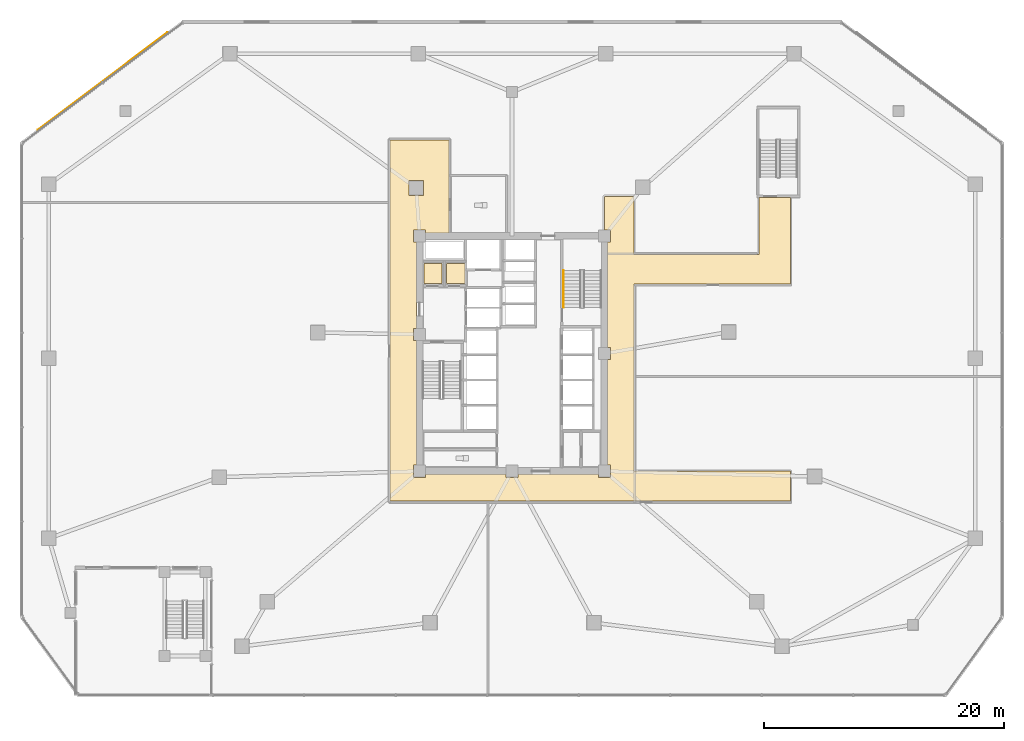
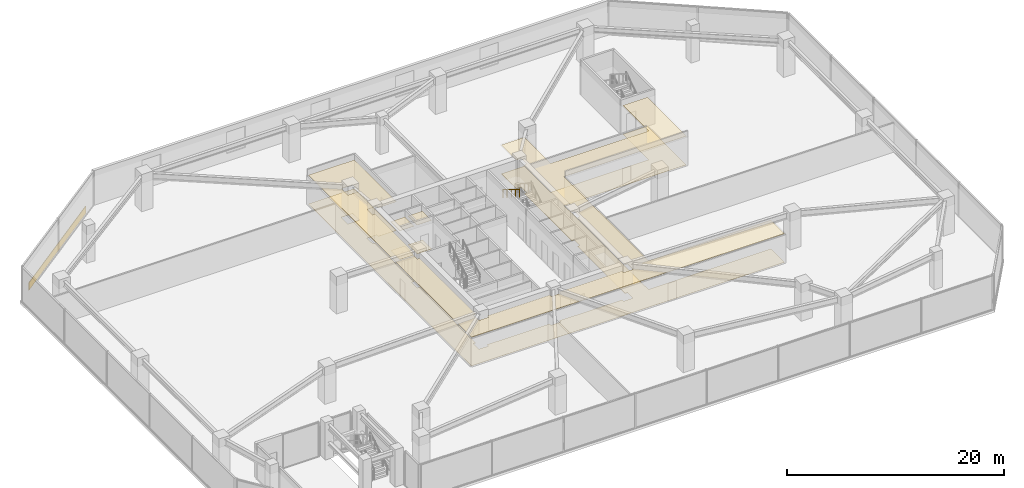
# One storey, part 17 of 21: 7 coverings, 1 railing.
"""IFC4 building model written with IfcOpenShell, lengths in metres."""

import ifcopenshell
import ifcopenshell.guid

model = None  # the IFC model being written
_history = None  # IfcOwnerHistory: only IFC2X3 demands one
_inside = {}  # id of a spatial element -> (the spatial element, [elements in it])
_under = {}  # id of a project, library or spatial element -> (it, [spatial elements below it])
_declared = {}  # id of a project -> (the project, [libraries it declares])
_typed = {}  # id of a type object -> (the type object, [elements of that type])
_made_of = {}  # id of a material, layer set ... -> (it, [elements and type objects made of it])


def new_model(schema):
    """Start an empty IFC model of exactly this schema.

    Asked for "IFC4X3", IfcOpenShell would pick the latest addendum, in which some entities
    have other attributes; the version numbers below select the first issue.
    IFC2X3 requires an IfcOwnerHistory on every rooted entity: one is made here for all.
    """
    global model, _history
    if schema == "IFC4X3":
        model = ifcopenshell.file(schema_version=(4, 3, 0, 0))
    else:
        model = ifcopenshell.file(schema=schema)
    _inside.clear()
    _under.clear()
    _declared.clear()
    _typed.clear()
    _made_of.clear()
    _history = None
    if model.schema == "IFC2X3":
        org = make("IfcOrganization", Name="unknown")
        user = make(
            "IfcPersonAndOrganization",
            ThePerson=make("IfcPerson", FamilyName="unknown"),
            TheOrganization=org,
        )
        app = make(
            "IfcApplication",
            ApplicationDeveloper=org,
            Version="unknown",
            ApplicationFullName="unknown",
            ApplicationIdentifier="unknown",
        )
        _history = make(
            "IfcOwnerHistory",
            OwningUser=user,
            OwningApplication=app,
            ChangeAction="ADDED",
            CreationDate=0,
        )
    return model


def make(cls, **values):
    """One entity of the class cls with the attributes given. An attribute that is None is left unset."""
    return model.create_entity(
        cls, **{name: value for name, value in values.items() if value is not None}
    )


def rooted(cls, **values):
    """An entity with a GlobalId (a new one), such as an element, a storey or a relation."""
    return make(cls, GlobalId=ifcopenshell.guid.new(), OwnerHistory=_history, **values)


def si_unit(unit_type, name, prefix=None):
    """IfcSIUnit, for example si_unit("LENGTHUNIT", "METRE", prefix="MILLI")."""
    return make("IfcSIUnit", UnitType=unit_type, Prefix=prefix, Name=name)


def assignment(units):
    """IfcUnitAssignment: the units of a project."""
    return None if units is None else make("IfcUnitAssignment", Units=units)


def point(xyz):
    """IfcCartesianPoint."""
    return None if xyz is None else make("IfcCartesianPoint", Coordinates=xyz)


def direction(xyz):
    """IfcDirection."""
    return None if xyz is None else make("IfcDirection", DirectionRatios=xyz)


def frame(location, z_axis=None, x_axis=None):
    """IfcAxis2Placement3D, a coordinate frame: its origin and axes. An axis left out is left unset."""
    return make(
        "IfcAxis2Placement3D",
        Location=point(location),
        Axis=direction(z_axis),
        RefDirection=direction(x_axis),
    )


def frame_2d(location, x_axis=None):
    """IfcAxis2Placement2D, a coordinate frame in the plane: its origin and x axis."""
    return make(
        "IfcAxis2Placement2D", Location=point(location), RefDirection=direction(x_axis)
    )


def origin():
    """The frame at (0, 0, 0) with its axes left unset."""
    return frame((0.0, 0.0, 0.0))


def origin_2d():
    """The frame at (0, 0) in the plane with its x axis left unset."""
    return frame_2d((0.0, 0.0))


def place(relative_to, where):
    """IfcLocalPlacement: puts the frame where relative to a parent placement (None: the world)."""
    return make(
        "IfcLocalPlacement", PlacementRelTo=relative_to, RelativePlacement=where
    )


def context(
    kind, dimensions, precision=None, world=None, true_north=None, identifier=None
):
    """IfcGeometricRepresentationContext, for example the 3D "Model" context."""
    return make(
        "IfcGeometricRepresentationContext",
        ContextIdentifier=identifier,
        ContextType=kind,
        CoordinateSpaceDimension=dimensions,
        Precision=precision,
        WorldCoordinateSystem=world,
        TrueNorth=true_north,
    )


def subcontext(parent, identifier, kind, view, scale=None):
    """IfcGeometricRepresentationSubContext, for example "Body" below "Model"."""
    return make(
        "IfcGeometricRepresentationSubContext",
        ContextIdentifier=identifier,
        ContextType=kind,
        ParentContext=parent,
        TargetScale=scale,
        TargetView=view,
    )


def project(units=None, contexts=None):
    """IfcProject with its units and contexts."""
    return rooted(
        "IfcProject",
        Name="project",
        RepresentationContexts=contexts,
        UnitsInContext=assignment(units),
    )


def spatial(cls, under=None, at=None, **own):
    """A site, building, storey or space (cls), placed at a placement, below another one or the project."""
    s = rooted(cls, ObjectPlacement=at, **own)
    if under is not None:
        _under.setdefault(under.id(), (under, []))[1].append(s)
    return s


def polyline(points):
    """IfcPolyline through the points."""
    return make("IfcPolyline", Points=[point(p) for p in points])


def profile(cls, at=None, kind="AREA", **sizes):
    """A parametric profile (cls). Its sizes go by their IFC names, for example OverallWidth=200.0."""
    return make(cls, ProfileType=kind, Position=at, **sizes)


def rectangle(**sizes):
    """IfcRectangleProfileDef."""
    return profile("IfcRectangleProfileDef", **sizes)


def circle(**sizes):
    """IfcCircleProfileDef."""
    return profile("IfcCircleProfileDef", **sizes)


def outline(outer, holes=None, kind="AREA"):
    """IfcArbitraryClosedProfileDef: a profile drawn as a closed curve; with holes, ...WithVoids."""
    if holes is None:
        return make("IfcArbitraryClosedProfileDef", ProfileType=kind, OuterCurve=outer)
    return make(
        "IfcArbitraryProfileDefWithVoids",
        ProfileType=kind,
        OuterCurve=outer,
        InnerCurves=holes,
    )


def extrude(swept, where, along, depth):
    """IfcExtrudedAreaSolid: the profile swept, set in the frame where, extruded along a direction by depth."""
    return make(
        "IfcExtrudedAreaSolid",
        SweptArea=swept,
        Position=where,
        ExtrudedDirection=direction(along),
        Depth=depth,
    )


def shape(context_of_items, identifier, shape_type, items):
    """IfcShapeRepresentation: the items that make up one representation, for example the "Body"."""
    return make(
        "IfcShapeRepresentation",
        ContextOfItems=context_of_items,
        RepresentationIdentifier=identifier,
        RepresentationType=shape_type,
        Items=items,
    )


def material(Name=None, Category=None):
    """IfcMaterial."""
    return make("IfcMaterial", Name=Name, Category=Category)


def layer(
    of_material, thickness, ventilated=None, Name=None, Category=None, Priority=None
):
    """IfcMaterialLayer: one layer of a wall or slab, of a material (None: an air gap)."""
    return make(
        "IfcMaterialLayer",
        Material=of_material,
        LayerThickness=thickness,
        IsVentilated=ventilated,
        Name=Name,
        Category=Category,
        Priority=Priority,
    )


def layer_set(layers, Name=None):
    """IfcMaterialLayerSet."""
    return make("IfcMaterialLayerSet", MaterialLayers=layers, LayerSetName=Name)


def made_of(thing, what):
    """Note that an element or type object is made of a material, layer set ...; save() writes the relation."""
    if what is not None:
        _made_of.setdefault(what.id(), (what, []))[1].append(thing)
    return thing


def type_object(cls, material=None, **own):
    """A type object (cls), such as IfcWallType, which elements share."""
    return made_of(rooted(cls, **own), material)


def element(
    cls,
    number,
    at=None,
    inside=None,
    cuts=None,
    type_object=None,
    material=None,
    context=None,
    identifier="Body",
    shape_type=None,
    held_by="IfcProductDefinitionShape",
    body=None,
    shapes=None,
    **own,
):
    """One element of the class cls, such as IfcWall. Its Tag is "e" and its number.

    at: its placement. inside: the storey or other place that contains it. cuts: it is an
    opening in that element (IfcRelVoidsElement). A single representation is given by context,
    identifier, shape_type and body (its items); several are given by shapes. held_by: the class
    of the entity that holds the representations. save() writes the other relations.
    """
    e = rooted(cls, Tag="e%d" % number, ObjectPlacement=at, **own)
    if body is not None:
        shapes = [shape(context, identifier, shape_type, body)]
    if shapes is not None:
        e.Representation = make(held_by, Representations=shapes)
    if inside is not None:
        _inside.setdefault(inside.id(), (inside, []))[1].append(e)
    if cuts is not None:
        rooted(
            "IfcRelVoidsElement", RelatingBuildingElement=cuts, RelatedOpeningElement=e
        )
    if type_object is not None:
        _typed.setdefault(type_object.id(), (type_object, []))[1].append(e)
    return made_of(e, material)


def aggregate(whole, parts):
    """IfcRelAggregates: a whole, such as a stair, and the parts it consists of."""
    return rooted("IfcRelAggregates", RelatingObject=whole, RelatedObjects=parts)


def save(model, path):
    """Write the relations noted so far, then the file.

    IfcRelAggregates (storeys below a building ...), IfcRelContainedInSpatialStructure (elements
    in a storey), IfcRelDefinesByType, IfcRelAssociatesMaterial and IfcRelDeclares: one each for
    every whole, place, type object, material and project.
    """
    for whole, parts in _under.values():
        aggregate(whole, parts)
    for where, things in _inside.values():
        rooted(
            "IfcRelContainedInSpatialStructure",
            RelatedElements=things,
            RelatingStructure=where,
        )
    for kind, things in _typed.values():
        rooted("IfcRelDefinesByType", RelatedObjects=things, RelatingType=kind)
    for what, things in _made_of.values():
        rooted("IfcRelAssociatesMaterial", RelatedObjects=things, RelatingMaterial=what)
    for by, libraries in _declared.values():
        rooted("IfcRelDeclares", RelatingContext=by, RelatedDefinitions=libraries)
    model.write(path)


model = new_model("IFC4")

# Units and contexts
model_context = context("Model", 3, precision=1e-05, world=origin(), true_north=direction((0.0, 1.0)))
body_context = subcontext(model_context, "Body", "Model", "MODEL_VIEW")
ifc_project = project(units=[si_unit("LENGTHUNIT", "METRE"), si_unit("AREAUNIT", "SQUARE_METRE"), si_unit("VOLUMEUNIT", "CUBIC_METRE"), si_unit("PLANEANGLEUNIT", "RADIAN"), si_unit("MASSUNIT", "GRAM", prefix="KILO")], contexts=[model_context])

# Site, building, storey
site_placement = place(None, origin())
site = spatial("IfcSite", under=ifc_project, at=site_placement, CompositionType="ELEMENT")
building_placement = place(site_placement, origin())
building = spatial("IfcBuilding", under=site, at=building_placement, Name="Savorim Split Tower", CompositionType="ELEMENT")
storey_placement = place(building_placement, frame((0.0, 0.0, 9.199951171875)))
storey = spatial("IfcBuildingStorey", under=building, at=storey_placement, Name="L02", CompositionType="ELEMENT", Elevation=9.199951171875)

# Coverings
ifc_material_1 = material(Name="Mineral Fibre Acoustic Ceiling")
ifc_layer_1 = layer(ifc_material_1, 0.02490234375)
ifc_layer_set_1 = layer_set([ifc_layer_1], Name="COV-CEIL-25")
covering_type_1 = type_object("IfcCoveringType", Name="COV-CEIL-25", PredefinedType="CEILING", material=ifc_layer_set_1)
covering_1_placement = place(storey_placement, frame((0.0, 0.0, 3.239990234375)))
element("IfcCovering", 1, at=covering_1_placement, inside=storey, type_object=covering_type_1, Name="L02 Electrical Riser Acoustic Ceiling", PredefinedType="CEILING", context=body_context, shape_type="SweptSolid", body=[
    extrude(outline(polyline([(-7.320068359375, 7.919921875), (-7.320068359375, 6.22998046875), (-5.830078125, 6.22998046875), (-5.830078125, 7.919921875), (-7.320068359375, 7.919921875)])), origin(), (0.0, 0.0, 1.0), 0.025146484375),
])
covering_2_placement = place(storey_placement, frame((0.0, 0.0, 3.239990234375)))
element("IfcCovering", 2, at=covering_2_placement, inside=storey, type_object=covering_type_1, Name="L02 Telecom Riser Acoustic Ceiling", PredefinedType="CEILING", context=body_context, shape_type="SweptSolid", body=[
    extrude(outline(polyline([(-5.469970703125, 7.919921875), (-5.469970703125, 6.22998046875), (-3.929931640625, 6.22998046875), (-3.929931640625, 7.919921875), (-5.469970703125, 7.919921875)])), origin(), (0.0, 0.0, 1.0), 0.025146484375),
])
covering_3_placement = place(storey_placement, frame((0.0, 0.0, 3.239990234375)))
element("IfcCovering", 3, at=covering_3_placement, inside=storey, type_object=covering_type_1, Name="L02 Corridor Acoustic Ceiling", PredefinedType="CEILING", context=body_context, shape_type="SweptSolid", body=[
    extrude(outline(polyline([(-7.699951171875, 18.199951171875), (-10.14990234375, 18.199951171875), (-10.14990234375, -9.39990234375), (-10.14990234375, -11.89990234375), (-7.699951171875, -11.89990234375), (7.699951171875, -11.89990234375), (10.14990234375, -11.89990234375), (23.199951171875, -11.89990234375), (23.199951171875, -9.39990234375), (10.14990234375, -9.39990234375), (10.14990234375, 6.199951171875), (23.199951171875, 6.199951171875), (23.199951171875, 8.64990234375), (23.199951171875, 13.39990234375), (20.60009765625, 13.39990234375), (20.60009765625, 8.64990234375), (10.14990234375, 8.64990234375), (10.14990234375, 13.5), (7.699951171875, 13.5), (7.699951171875, 10.7099609375), (8.2099609375, 10.7099609375), (8.2099609375, 9.68994140625), (7.949951171875, 9.68994140625), (7.949951171875, 0.909912109375), (8.2099609375, 0.909912109375), (8.2099609375, -0.110107421875), (7.949951171875, -0.110107421875), (7.949951171875, -8.889892578125), (8.2099609375, -8.889892578125), (8.2099609375, -9.909912109375), (7.18994140625, -9.909912109375), (7.18994140625, -9.64990234375), (0.510009765625, -9.64990234375), (0.510009765625, -9.909912109375), (-0.510009765625, -9.909912109375), (-0.510009765625, -9.64990234375), (-7.18994140625, -9.64990234375), (-7.18994140625, -9.909912109375), (-8.2099609375, -9.909912109375), (-8.2099609375, -8.889892578125), (-7.949951171875, -8.889892578125), (-7.949951171875, 1.489990234375), (-8.2099609375, 1.489990234375), (-8.2099609375, 2.510009765625), (-7.949951171875, 2.510009765625), (-7.949951171875, 9.68994140625), (-8.2099609375, 9.68994140625), (-8.2099609375, 10.7099609375), (-7.18994140625, 10.7099609375), (-7.18994140625, 10.449951171875), (-5.25, 10.449951171875), (-5.25, 18.199951171875), (-7.699951171875, 18.199951171875)]), holes=[polyline([(-8.6025390625, 13.591796875), (-7.382568359375, 13.591796875), (-7.382568359375, 14.811767578125), (-8.6025390625, 14.811767578125), (-8.6025390625, 13.591796875)])]), origin(), (0.0, 0.0, 1.0), 0.025146484375),
])
ifc_material_2 = material(Name="Terracotta Ceramic-Coated Aluminium Fin", Category="masonry")
ifc_layer_2 = layer(ifc_material_2, 0.050048828125)
ifc_layer_set_2 = layer_set([ifc_layer_2], Name="COV-CLAD-TERRA")
covering_type_2 = type_object("IfcCoveringType", Name="COV-CLAD-TERRA", PredefinedType="CLADDING", material=ifc_layer_set_2)
covering_4_placement = place(storey_placement, frame((-34.10009765625, 23.10009765625, 0.02490234375), z_axis=(0.0, 0.0, 1.0), x_axis=(0.798635510047, 0.601815023152, 0.0)))
element("IfcCovering", 4, at=covering_4_placement, inside=storey, type_object=covering_type_2, Name="L02 NW Podium Spandrel Cladding", PredefinedType="CLADDING", context=body_context, shape_type="SweptSolid", body=[
    extrude(rectangle(XDim=13.5, YDim=0.050048828125, at=origin_2d()), origin(), (0.0, 0.0, 1.0), 0.85009765625),
])
ifc_material_3 = material(Name="Porcelain Stoneware Flooring", Category="masonry")
ifc_layer_3 = layer(ifc_material_3, 0.02001953125)
ifc_layer_set_3 = layer_set([ifc_layer_3], Name="COV-FLOR-20")
covering_type_3 = type_object("IfcCoveringType", Name="COV-FLOR-20", PredefinedType="FLOORING", material=ifc_layer_set_3)
covering_5_placement = place(storey_placement, origin())
element("IfcCovering", 5, at=covering_5_placement, inside=storey, type_object=covering_type_3, Name="L02 Electrical Riser Porcelain Flooring", PredefinedType="FLOORING", context=body_context, shape_type="SweptSolid", body=[
    extrude(outline(polyline([(-7.320068359375, 7.919921875), (-7.320068359375, 6.22998046875), (-5.830078125, 6.22998046875), (-5.830078125, 7.919921875), (-7.320068359375, 7.919921875)])), origin(), (0.0, 0.0, 1.0), 0.02001953125),
])
covering_6_placement = place(storey_placement, origin())
element("IfcCovering", 6, at=covering_6_placement, inside=storey, type_object=covering_type_3, Name="L02 Telecom Riser Porcelain Flooring", PredefinedType="FLOORING", context=body_context, shape_type="SweptSolid", body=[
    extrude(outline(polyline([(-5.469970703125, 7.919921875), (-5.469970703125, 6.22998046875), (-3.929931640625, 6.22998046875), (-3.929931640625, 7.919921875), (-5.469970703125, 7.919921875)])), origin(), (0.0, 0.0, 1.0), 0.02001953125),
])
covering_7_placement = place(storey_placement, origin())
element("IfcCovering", 7, at=covering_7_placement, inside=storey, type_object=covering_type_3, Name="L02 Corridor Porcelain Flooring", PredefinedType="FLOORING", context=body_context, shape_type="SweptSolid", body=[
    extrude(outline(polyline([(-7.699951171875, 18.199951171875), (-10.14990234375, 18.199951171875), (-10.14990234375, -9.39990234375), (-10.14990234375, -11.89990234375), (-7.699951171875, -11.89990234375), (7.699951171875, -11.89990234375), (10.14990234375, -11.89990234375), (23.199951171875, -11.89990234375), (23.199951171875, -9.39990234375), (10.14990234375, -9.39990234375), (10.14990234375, 6.199951171875), (23.199951171875, 6.199951171875), (23.199951171875, 8.64990234375), (23.199951171875, 13.39990234375), (20.60009765625, 13.39990234375), (20.60009765625, 8.64990234375), (10.14990234375, 8.64990234375), (10.14990234375, 13.5), (7.699951171875, 13.5), (7.699951171875, 10.7099609375), (8.2099609375, 10.7099609375), (8.2099609375, 9.68994140625), (7.949951171875, 9.68994140625), (7.949951171875, 0.909912109375), (8.2099609375, 0.909912109375), (8.2099609375, -0.110107421875), (7.949951171875, -0.110107421875), (7.949951171875, -8.889892578125), (8.2099609375, -8.889892578125), (8.2099609375, -9.909912109375), (7.18994140625, -9.909912109375), (7.18994140625, -9.64990234375), (0.510009765625, -9.64990234375), (0.510009765625, -9.909912109375), (-0.510009765625, -9.909912109375), (-0.510009765625, -9.64990234375), (-7.18994140625, -9.64990234375), (-7.18994140625, -9.909912109375), (-8.2099609375, -9.909912109375), (-8.2099609375, -8.889892578125), (-7.949951171875, -8.889892578125), (-7.949951171875, 1.489990234375), (-8.2099609375, 1.489990234375), (-8.2099609375, 2.510009765625), (-7.949951171875, 2.510009765625), (-7.949951171875, 9.68994140625), (-8.2099609375, 9.68994140625), (-8.2099609375, 10.7099609375), (-7.18994140625, 10.7099609375), (-7.18994140625, 10.449951171875), (-5.25, 10.449951171875), (-5.25, 18.199951171875), (-7.699951171875, 18.199951171875)]), holes=[polyline([(-8.6025390625, 13.591796875), (-7.382568359375, 13.591796875), (-7.382568359375, 14.811767578125), (-8.6025390625, 14.811767578125), (-8.6025390625, 13.591796875)])]), origin(), (0.0, 0.0, 1.0), 0.02001953125),
])

# Railing
ifc_material_4 = material(Name="Galvanised Painted Steel Balustrade", Category="steel")
railing_type = type_object("IfcRailingType", Name="RLG-HR-900", PredefinedType="HANDRAIL", material=ifc_material_4)
railing_placement = place(storey_placement, frame((4.300048828125, 7.330078125, 2.275146484375)))
element("IfcRailing", 8, at=railing_placement, inside=storey, type_object=railing_type, Name="L02 ST-2 stair handrail 2", PredefinedType="HANDRAIL", context=body_context, shape_type="SweptSolid", body=[
    extrude(circle(Radius=0.02392578125, at=origin_2d()), frame((0.0, 0.0, 0.8759765625), z_axis=(0.0, -0.848028513186, 0.529950602248), x_axis=(1.0, 0.0, 0.0)), (0.0, 0.0, 1.0), 3.632080078125),
    extrude(circle(Radius=0.02099609375, at=origin_2d()), origin(), (0.0, 0.0, 1.0), 0.851806640625),
    extrude(circle(Radius=0.02099609375, at=origin_2d()), frame((0.0, -0.77001953125, 0.481201171875)), (0.0, 0.0, 1.0), 0.851806640625),
    extrude(circle(Radius=0.02099609375, at=origin_2d()), frame((0.0, -1.5400390625, 0.96240234375)), (0.0, 0.0, 1.0), 0.851806640625),
    extrude(circle(Radius=0.02099609375, at=origin_2d()), frame((0.0, -2.31005859375, 1.443603515625)), (0.0, 0.0, 1.0), 0.851806640625),
    extrude(circle(Radius=0.02099609375, at=origin_2d()), frame((0.0, -3.080078125, 1.9248046875)), (0.0, 0.0, 1.0), 0.851806640625),
])

save(model, "model.ifc")
